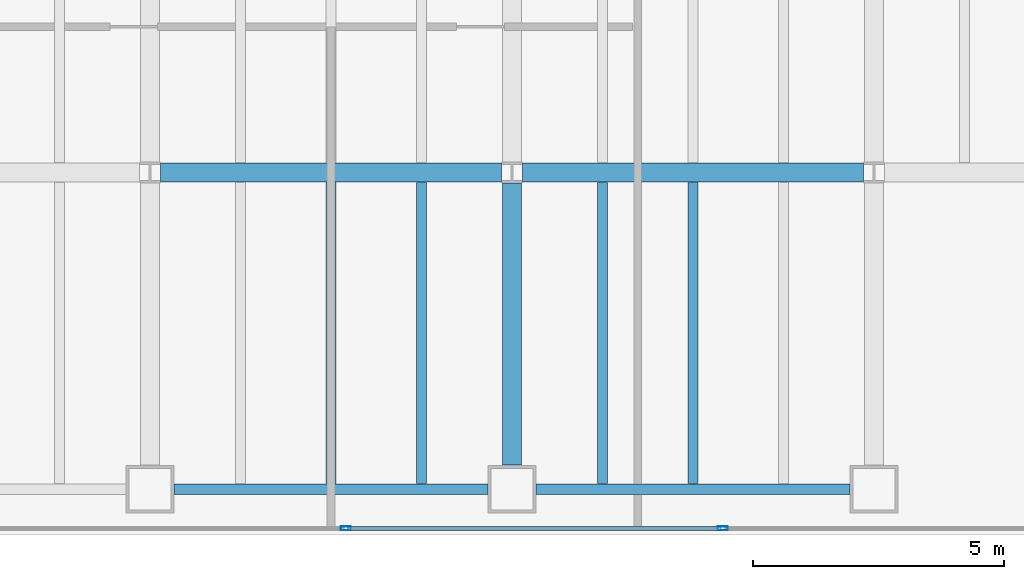
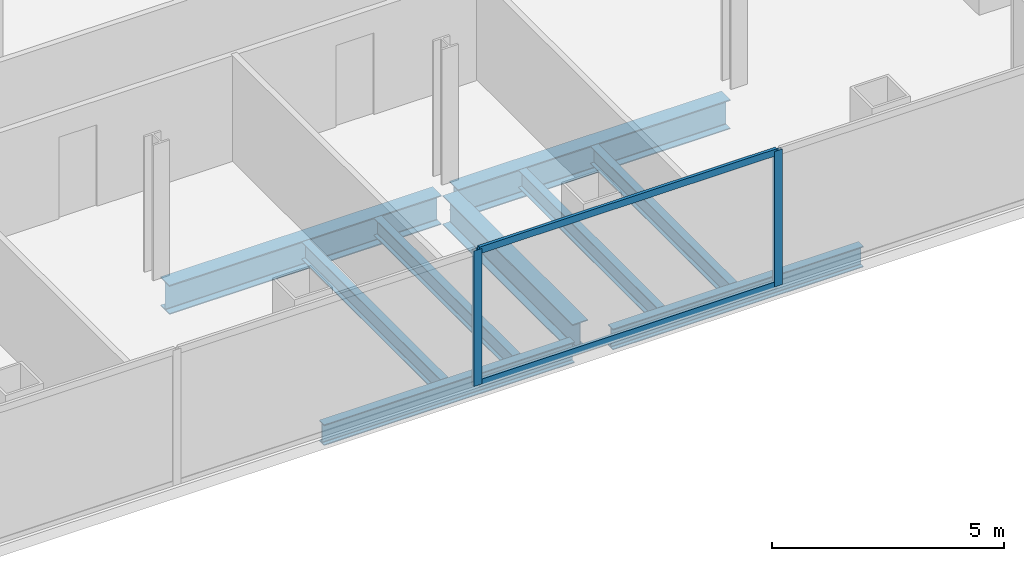
# One storey, part 7 of 23: 9 beams, 4 members, 1 element without a shape of its own.
"""IFC4 building model written with IfcOpenShell, lengths in metres."""

from ifc_helpers import new_model, si_unit, direction, frame, origin, origin_2d, place, context, subcontext, project, spatial, hollow_rectangle, i_section, extrude, material, material_profile, profile_set, type_object, element, aggregate, save


model = new_model("IFC4")

# Units and contexts
model_context = context("Model", 3, precision=1e-05, world=origin(), true_north=direction((0.0, 1.0)))
body_context = subcontext(model_context, "Body", "Model", "MODEL_VIEW")
ifc_project = project(units=[si_unit("LENGTHUNIT", "METRE"), si_unit("AREAUNIT", "SQUARE_METRE"), si_unit("VOLUMEUNIT", "CUBIC_METRE"), si_unit("PLANEANGLEUNIT", "RADIAN"), si_unit("MASSUNIT", "GRAM", prefix="KILO")], contexts=[model_context])

# Site, building, storey
site_placement = place(None, origin())
site = spatial("IfcSite", under=ifc_project, at=site_placement, CompositionType="ELEMENT")
building_placement = place(site_placement, origin())
building = spatial("IfcBuilding", under=site, at=building_placement, Name="Cobrela Telecom Tower", CompositionType="ELEMENT")
storey_placement = place(building_placement, frame((0.0, 0.0, 88.89990234375)))
storey = spatial("IfcBuildingStorey", under=building, at=storey_placement, Name="L22", CompositionType="ELEMENT", Elevation=88.89990234375)

# Beams
ifc_material_1 = material(Name="Steel ASTM A992 Grade 50", Category="steel")
ifc_material_profile_1 = material_profile(ifc_material_1, i_section(OverallWidth=0.381103515625, OverallDepth=0.77197265625, WebThickness=0.0166015625, FlangeThickness=0.027099609375, FilletRadius=0.01904296875, at=origin_2d()), Name="W30X173")
ifc_profile_set_1 = profile_set([ifc_material_profile_1], Name="Steel ASTM A992 Grade 50")
beam_type_1 = type_object("IfcBeamType", Name="BM-GIRD-04", PredefinedType="USERDEFINED", material=ifc_profile_set_1)
for number, where, z_axis, x_axis, name in (
    (1, (29.009521484375, 7.199951171875, -0.666015625), (1.0, 0.0, 0.0), (0.0, 1.0, 0.0), "L22 Primary Girder X10"),
    (2, (36.20947265625, 7.199951171875, -0.666015625), (1.0, 0.0, 0.0), (0.0, 1.0, 0.0), "L22 Primary Girder X11"),
):
    element("IfcBeam", number, at=place(storey_placement, frame(where, z_axis=z_axis, x_axis=x_axis)), inside=storey, type_object=beam_type_1, Name=name, ObjectType="GIRDER", PredefinedType="USERDEFINED", context=body_context, shape_type="SweptSolid", body=[
        extrude(i_section(OverallWidth=0.381103515625, OverallDepth=0.77197265625, WebThickness=0.0166015625, FlangeThickness=0.027099609375, FilletRadius=0.01904296875, at=origin_2d()), origin(), (0.0, 0.0, 1.0), 6.781005859375),
    ])
beam_placement = place(storey_placement, frame((36.0, 1.3798828125, -0.666015625), z_axis=(0.0, 1.0, 0.0), x_axis=(-1.0, 0.0, 0.0)))
element("IfcBeam", 3, at=beam_placement, inside=storey, type_object=beam_type_1, Name="L22 Primary Girder Y50", ObjectType="GIRDER", PredefinedType="USERDEFINED", context=body_context, shape_type="SweptSolid", body=[
    extrude(i_section(OverallWidth=0.381103515625, OverallDepth=0.77197265625, WebThickness=0.0166015625, FlangeThickness=0.027099609375, FilletRadius=0.01904296875, at=origin_2d()), origin(), (0.0, 0.0, 1.0), 5.610595703125),
])
ifc_material_profile_2 = material_profile(ifc_material_1, i_section(OverallWidth=0.193115234375, OverallDepth=0.467041015625, WebThickness=0.011474609375, FlangeThickness=0.01904296875, FilletRadius=0.012939453125, at=origin_2d()), Name="W18X65")
ifc_profile_set_2 = profile_set([ifc_material_profile_2], Name="Steel ASTM A992 Grade 50")
beam_type_2 = type_object("IfcBeamType", Name="BM-JOIST-03", PredefinedType="JOIST", material=ifc_profile_set_2)
for number, where, z_axis, x_axis, name in (
    (4, (32.39990234375, 1.011474609375, -0.513427734375), (0.0, 1.0, 0.0), (-1.0, 0.0, 0.0), "L22 Secondary Composite Floor Beam J44"),
    (5, (34.199951171875, 1.011474609375, -0.513427734375), (0.0, 1.0, 0.0), (-1.0, 0.0, 0.0), "L22 Secondary Composite Floor Beam J47"),
    (6, (37.800048828125, 1.011474609375, -0.513427734375), (0.0, 1.0, 0.0), (-1.0, 0.0, 0.0), "L22 Secondary Composite Floor Beam J50"),
    (7, (39.60009765625, 1.011474609375, -0.513427734375), (0.0, 1.0, 0.0), (-1.0, 0.0, 0.0), "L22 Secondary Composite Floor Beam J53"),
):
    element("IfcBeam", number, at=place(storey_placement, frame(where, z_axis=z_axis, x_axis=x_axis)), inside=storey, type_object=beam_type_2, Name=name, PredefinedType="JOIST", context=body_context, shape_type="SweptSolid", body=[
        extrude(i_section(OverallWidth=0.193115234375, OverallDepth=0.467041015625, WebThickness=0.011474609375, FlangeThickness=0.01904296875, FilletRadius=0.012939453125, at=origin_2d()), origin(), (0.0, 0.0, 1.0), 5.992919921875),
    ])
ifc_material_profile_3 = material_profile(ifc_material_1, i_section(OverallWidth=0.212890625, OverallDepth=0.549072265625, WebThickness=0.0146484375, FlangeThickness=0.023681640625, FilletRadius=0.013916015625, at=origin_2d()), Name="W21X93")
ifc_profile_set_3 = profile_set([ifc_material_profile_3], Name="Steel ASTM A992 Grade 50")
beam_type_3 = type_object("IfcBeamType", Name="BM-SPAND-03", PredefinedType="SPANDREL", material=ifc_profile_set_3)
for number, where, z_axis, x_axis, name in (
    (8, (29.280029296875, 0.89990234375, -0.554443359375), (1.0, 0.0, 0.0), (0.0, 1.0, 0.0), "L22 Perimeter Spandrel X04"),
    (9, (36.47998046875, 0.89990234375, -0.554443359375), (1.0, 0.0, 0.0), (0.0, 1.0, 0.0), "L22 Perimeter Spandrel X05"),
):
    element("IfcBeam", number, at=place(storey_placement, frame(where, z_axis=z_axis, x_axis=x_axis)), inside=storey, type_object=beam_type_3, Name=name, PredefinedType="SPANDREL", context=body_context, shape_type="SweptSolid", body=[
        extrude(i_section(OverallWidth=0.212890625, OverallDepth=0.549072265625, WebThickness=0.0146484375, FlangeThickness=0.023681640625, FilletRadius=0.013916015625, at=origin_2d()), origin(), (0.0, 0.0, 1.0), 6.239990234375),
    ])

# Curtain wall, members
ifc_material_2 = material(Name="Anodized Bronze Aluminium 6063-T6", Category="aluminium")
curtain_wall_type = type_object("IfcCurtainWallType", Name="CW-SYS-DATA", PredefinedType="USERDEFINED", material=ifc_material_2)
curtain_wall_placement = place(storey_placement, origin())
curtain_wall = element("IfcCurtainWall", 10, at=curtain_wall_placement, inside=storey, type_object=curtain_wall_type, Name="L22 Unitised Bronze Curtain Wall 17", ObjectType="UNITISED CURTAIN WALL", PredefinedType="USERDEFINED")
ifc_material_profile_4 = material_profile(ifc_material_2, hollow_rectangle(XDim=0.080078125, YDim=0.199951171875, WallThickness=0.00390625, at=origin_2d()), Name="ALU 80x200x4")
ifc_profile_set_4 = profile_set([ifc_material_profile_4], Name="Anodized Bronze Aluminium 6063-T6")
member_type_1 = type_object("IfcMemberType", Name="CW-SYS-DATA-MUL", PredefinedType="MULLION", material=ifc_profile_set_4)
member_1_placement = place(storey_placement, frame((40.193359375, 0.1201171875, 0.0), z_axis=(0.0, 0.0, 1.0), x_axis=(0.0, -1.0, 0.0)))
member_1 = element("IfcMember", 11, at=member_1_placement, type_object=member_type_1, Name="CW-DATA mullion 2", PredefinedType="MULLION", context=body_context, shape_type="SweptSolid", body=[
    extrude(hollow_rectangle(XDim=0.080078125, YDim=0.199951171875, WallThickness=0.00390625, at=origin_2d()), origin(), (0.0, 0.0, 1.0), 3.570068359375),
])
member_2_placement = place(storey_placement, frame((32.69677734375, 0.1201171875, 0.0), z_axis=(0.0, 0.0, 1.0), x_axis=(0.0, -1.0, 0.0)))
member_2 = element("IfcMember", 12, at=member_2_placement, type_object=member_type_1, Name="CW-DATA mullion 3", PredefinedType="MULLION", context=body_context, shape_type="SweptSolid", body=[
    extrude(hollow_rectangle(XDim=0.080078125, YDim=0.199951171875, WallThickness=0.00390625, at=origin_2d()), origin(), (0.0, 0.0, 1.0), 3.570068359375),
])
ifc_material_profile_5 = material_profile(ifc_material_2, hollow_rectangle(XDim=0.074951171875, YDim=0.179931640625, WallThickness=0.00390625, at=origin_2d()), Name="ALU 75x180x4")
ifc_profile_set_5 = profile_set([ifc_material_profile_5], Name="Anodized Bronze Aluminium 6063-T6")
member_type_2 = type_object("IfcMemberType", Name="CW-SYS-DATA-TRN", PredefinedType="USERDEFINED", material=ifc_profile_set_5)
member_3_placement = place(storey_placement, frame((40.1533203125, 0.1201171875, 0.03759765625), z_axis=(-1.0, 0.0, 0.0), x_axis=(0.0, -1.0, 0.0)))
member_3 = element("IfcMember", 13, at=member_3_placement, type_object=member_type_2, Name="CW-DATA transom 2.1", ObjectType="TRANSOM", PredefinedType="USERDEFINED", context=body_context, shape_type="SweptSolid", body=[
    extrude(hollow_rectangle(XDim=0.074951171875, YDim=0.179931640625, WallThickness=0.00390625, at=origin_2d()), origin(), (0.0, 0.0, 1.0), 7.416748046875),
])
member_4_placement = place(storey_placement, frame((40.1533203125, 0.1201171875, 3.53271484375), z_axis=(-1.0, 0.0, 0.0), x_axis=(0.0, -1.0, 0.0)))
member_4 = element("IfcMember", 14, at=member_4_placement, type_object=member_type_2, Name="CW-DATA transom 2.2", ObjectType="TRANSOM", PredefinedType="USERDEFINED", context=body_context, shape_type="SweptSolid", body=[
    extrude(hollow_rectangle(XDim=0.074951171875, YDim=0.179931640625, WallThickness=0.00390625, at=origin_2d()), origin(), (0.0, 0.0, 1.0), 7.416748046875),
])
aggregate(curtain_wall, [member_1, member_2, member_3, member_4])

save(model, "model.ifc")
